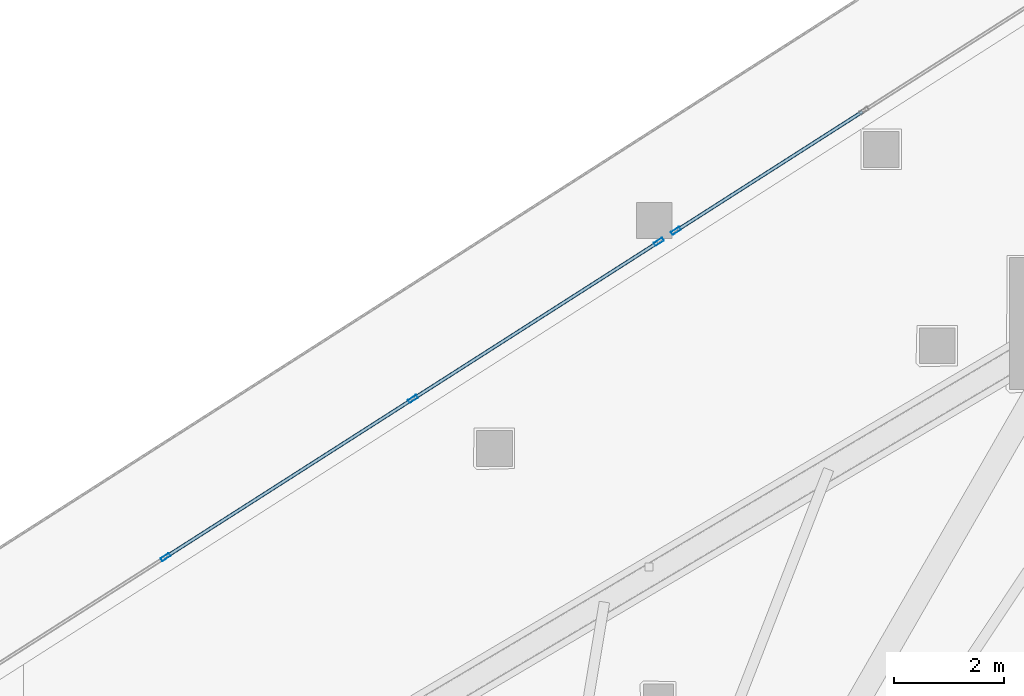
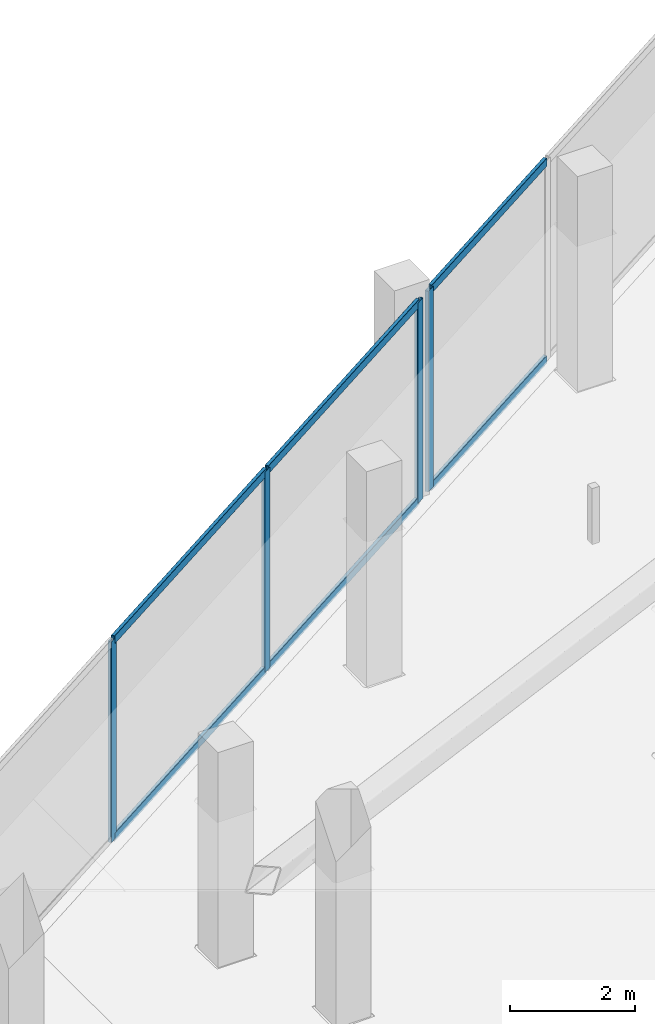
# One storey, part 20 of 45: 10 members, 2 elements without a shape of their own.
"""IFC4 building model written with IfcOpenShell, lengths in metres."""

import ifcopenshell
import ifcopenshell.guid

model = None  # the IFC model being written
_history = None  # IfcOwnerHistory: only IFC2X3 demands one
_inside = {}  # id of a spatial element -> (the spatial element, [elements in it])
_under = {}  # id of a project, library or spatial element -> (it, [spatial elements below it])
_declared = {}  # id of a project -> (the project, [libraries it declares])
_typed = {}  # id of a type object -> (the type object, [elements of that type])
_made_of = {}  # id of a material, layer set ... -> (it, [elements and type objects made of it])


def new_model(schema):
    """Start an empty IFC model of exactly this schema.

    Asked for "IFC4X3", IfcOpenShell would pick the latest addendum, in which some entities
    have other attributes; the version numbers below select the first issue.
    IFC2X3 requires an IfcOwnerHistory on every rooted entity: one is made here for all.
    """
    global model, _history
    if schema == "IFC4X3":
        model = ifcopenshell.file(schema_version=(4, 3, 0, 0))
    else:
        model = ifcopenshell.file(schema=schema)
    _inside.clear()
    _under.clear()
    _declared.clear()
    _typed.clear()
    _made_of.clear()
    _history = None
    if model.schema == "IFC2X3":
        org = make("IfcOrganization", Name="unknown")
        user = make(
            "IfcPersonAndOrganization",
            ThePerson=make("IfcPerson", FamilyName="unknown"),
            TheOrganization=org,
        )
        app = make(
            "IfcApplication",
            ApplicationDeveloper=org,
            Version="unknown",
            ApplicationFullName="unknown",
            ApplicationIdentifier="unknown",
        )
        _history = make(
            "IfcOwnerHistory",
            OwningUser=user,
            OwningApplication=app,
            ChangeAction="ADDED",
            CreationDate=0,
        )
    return model


def make(cls, **values):
    """One entity of the class cls with the attributes given. An attribute that is None is left unset."""
    return model.create_entity(
        cls, **{name: value for name, value in values.items() if value is not None}
    )


def rooted(cls, **values):
    """An entity with a GlobalId (a new one), such as an element, a storey or a relation."""
    return make(cls, GlobalId=ifcopenshell.guid.new(), OwnerHistory=_history, **values)


def si_unit(unit_type, name, prefix=None):
    """IfcSIUnit, for example si_unit("LENGTHUNIT", "METRE", prefix="MILLI")."""
    return make("IfcSIUnit", UnitType=unit_type, Prefix=prefix, Name=name)


def assignment(units):
    """IfcUnitAssignment: the units of a project."""
    return None if units is None else make("IfcUnitAssignment", Units=units)


def point(xyz):
    """IfcCartesianPoint."""
    return None if xyz is None else make("IfcCartesianPoint", Coordinates=xyz)


def direction(xyz):
    """IfcDirection."""
    return None if xyz is None else make("IfcDirection", DirectionRatios=xyz)


def frame(location, z_axis=None, x_axis=None):
    """IfcAxis2Placement3D, a coordinate frame: its origin and axes. An axis left out is left unset."""
    return make(
        "IfcAxis2Placement3D",
        Location=point(location),
        Axis=direction(z_axis),
        RefDirection=direction(x_axis),
    )


def frame_2d(location, x_axis=None):
    """IfcAxis2Placement2D, a coordinate frame in the plane: its origin and x axis."""
    return make(
        "IfcAxis2Placement2D", Location=point(location), RefDirection=direction(x_axis)
    )


def origin():
    """The frame at (0, 0, 0) with its axes left unset."""
    return frame((0.0, 0.0, 0.0))


def origin_2d():
    """The frame at (0, 0) in the plane with its x axis left unset."""
    return frame_2d((0.0, 0.0))


def place(relative_to, where):
    """IfcLocalPlacement: puts the frame where relative to a parent placement (None: the world)."""
    return make(
        "IfcLocalPlacement", PlacementRelTo=relative_to, RelativePlacement=where
    )


def context(
    kind, dimensions, precision=None, world=None, true_north=None, identifier=None
):
    """IfcGeometricRepresentationContext, for example the 3D "Model" context."""
    return make(
        "IfcGeometricRepresentationContext",
        ContextIdentifier=identifier,
        ContextType=kind,
        CoordinateSpaceDimension=dimensions,
        Precision=precision,
        WorldCoordinateSystem=world,
        TrueNorth=true_north,
    )


def subcontext(parent, identifier, kind, view, scale=None):
    """IfcGeometricRepresentationSubContext, for example "Body" below "Model"."""
    return make(
        "IfcGeometricRepresentationSubContext",
        ContextIdentifier=identifier,
        ContextType=kind,
        ParentContext=parent,
        TargetScale=scale,
        TargetView=view,
    )


def project(units=None, contexts=None):
    """IfcProject with its units and contexts."""
    return rooted(
        "IfcProject",
        Name="project",
        RepresentationContexts=contexts,
        UnitsInContext=assignment(units),
    )


def spatial(cls, under=None, at=None, **own):
    """A site, building, storey or space (cls), placed at a placement, below another one or the project."""
    s = rooted(cls, ObjectPlacement=at, **own)
    if under is not None:
        _under.setdefault(under.id(), (under, []))[1].append(s)
    return s


def profile(cls, at=None, kind="AREA", **sizes):
    """A parametric profile (cls). Its sizes go by their IFC names, for example OverallWidth=200.0."""
    return make(cls, ProfileType=kind, Position=at, **sizes)


def hollow_rectangle(**sizes):
    """IfcRectangleHollowProfileDef."""
    return profile("IfcRectangleHollowProfileDef", **sizes)


def extrude(swept, where, along, depth):
    """IfcExtrudedAreaSolid: the profile swept, set in the frame where, extruded along a direction by depth."""
    return make(
        "IfcExtrudedAreaSolid",
        SweptArea=swept,
        Position=where,
        ExtrudedDirection=direction(along),
        Depth=depth,
    )


def shape(context_of_items, identifier, shape_type, items):
    """IfcShapeRepresentation: the items that make up one representation, for example the "Body"."""
    return make(
        "IfcShapeRepresentation",
        ContextOfItems=context_of_items,
        RepresentationIdentifier=identifier,
        RepresentationType=shape_type,
        Items=items,
    )


def material(Name=None, Category=None):
    """IfcMaterial."""
    return make("IfcMaterial", Name=Name, Category=Category)


def layer(
    of_material, thickness, ventilated=None, Name=None, Category=None, Priority=None
):
    """IfcMaterialLayer: one layer of a wall or slab, of a material (None: an air gap)."""
    return make(
        "IfcMaterialLayer",
        Material=of_material,
        LayerThickness=thickness,
        IsVentilated=ventilated,
        Name=Name,
        Category=Category,
        Priority=Priority,
    )


def layer_set(layers, Name=None):
    """IfcMaterialLayerSet."""
    return make("IfcMaterialLayerSet", MaterialLayers=layers, LayerSetName=Name)


def material_profile(
    of_material, cross_section, Name=None, Category=None, Priority=None
):
    """IfcMaterialProfile: a cross section and its material."""
    return make(
        "IfcMaterialProfile",
        Name=Name,
        Material=of_material,
        Profile=cross_section,
        Priority=Priority,
        Category=Category,
    )


def profile_set(profiles, Name=None, composite=None):
    """IfcMaterialProfileSet."""
    return make(
        "IfcMaterialProfileSet",
        Name=Name,
        MaterialProfiles=profiles,
        CompositeProfile=composite,
    )


def made_of(thing, what):
    """Note that an element or type object is made of a material, layer set ...; save() writes the relation."""
    if what is not None:
        _made_of.setdefault(what.id(), (what, []))[1].append(thing)
    return thing


def type_object(cls, material=None, **own):
    """A type object (cls), such as IfcWallType, which elements share."""
    return made_of(rooted(cls, **own), material)


def element(
    cls,
    number,
    at=None,
    inside=None,
    cuts=None,
    type_object=None,
    material=None,
    context=None,
    identifier="Body",
    shape_type=None,
    held_by="IfcProductDefinitionShape",
    body=None,
    shapes=None,
    **own,
):
    """One element of the class cls, such as IfcWall. Its Tag is "e" and its number.

    at: its placement. inside: the storey or other place that contains it. cuts: it is an
    opening in that element (IfcRelVoidsElement). A single representation is given by context,
    identifier, shape_type and body (its items); several are given by shapes. held_by: the class
    of the entity that holds the representations. save() writes the other relations.
    """
    e = rooted(cls, Tag="e%d" % number, ObjectPlacement=at, **own)
    if body is not None:
        shapes = [shape(context, identifier, shape_type, body)]
    if shapes is not None:
        e.Representation = make(held_by, Representations=shapes)
    if inside is not None:
        _inside.setdefault(inside.id(), (inside, []))[1].append(e)
    if cuts is not None:
        rooted(
            "IfcRelVoidsElement", RelatingBuildingElement=cuts, RelatedOpeningElement=e
        )
    if type_object is not None:
        _typed.setdefault(type_object.id(), (type_object, []))[1].append(e)
    return made_of(e, material)


def aggregate(whole, parts):
    """IfcRelAggregates: a whole, such as a stair, and the parts it consists of."""
    return rooted("IfcRelAggregates", RelatingObject=whole, RelatedObjects=parts)


def save(model, path):
    """Write the relations noted so far, then the file.

    IfcRelAggregates (storeys below a building ...), IfcRelContainedInSpatialStructure (elements
    in a storey), IfcRelDefinesByType, IfcRelAssociatesMaterial and IfcRelDeclares: one each for
    every whole, place, type object, material and project.
    """
    for whole, parts in _under.values():
        aggregate(whole, parts)
    for where, things in _inside.values():
        rooted(
            "IfcRelContainedInSpatialStructure",
            RelatedElements=things,
            RelatingStructure=where,
        )
    for kind, things in _typed.values():
        rooted("IfcRelDefinesByType", RelatedObjects=things, RelatingType=kind)
    for what, things in _made_of.values():
        rooted("IfcRelAssociatesMaterial", RelatedObjects=things, RelatingMaterial=what)
    for by, libraries in _declared.values():
        rooted("IfcRelDeclares", RelatingContext=by, RelatedDefinitions=libraries)
    model.write(path)


model = new_model("IFC4")

# Units and contexts
model_context = context("Model", 3, precision=1e-05, world=origin(), true_north=direction((0.0, 1.0)))
body_context = subcontext(model_context, "Body", "Model", "MODEL_VIEW")
ifc_project = project(units=[si_unit("LENGTHUNIT", "METRE"), si_unit("AREAUNIT", "SQUARE_METRE"), si_unit("VOLUMEUNIT", "CUBIC_METRE"), si_unit("PLANEANGLEUNIT", "RADIAN"), si_unit("MASSUNIT", "GRAM", prefix="KILO")], contexts=[model_context])

# Site, building, storey
site_placement = place(None, origin())
site = spatial("IfcSite", under=ifc_project, at=site_placement, CompositionType="ELEMENT")
building_placement = place(site_placement, origin())
building = spatial("IfcBuilding", under=site, at=building_placement, Name="Qorvath Tower", CompositionType="ELEMENT")
storey_placement = place(building_placement, frame((0.0, 0.0, 49.199951171875)))
storey = spatial("IfcBuildingStorey", under=building, at=storey_placement, Name="L10", CompositionType="ELEMENT", Elevation=49.199951171875)

# Curtain wall, member
ifc_material_1 = material(Name="Anodised aluminium and triple low-E glass", Category="aluminium")
ifc_layer = layer(ifc_material_1, 0.179931640625)
ifc_layer_set = layer_set([ifc_layer], Name="CW-SYS-2")
curtain_wall_type = type_object("IfcCurtainWallType", Name="CW-SYS-2", PredefinedType="NOTDEFINED", material=ifc_layer_set)
curtain_wall_1_placement = place(storey_placement, origin())
curtain_wall_1 = element("IfcCurtainWall", 1, at=curtain_wall_1_placement, inside=storey, type_object=curtain_wall_type, Name="Curtain Wall CW-2 CW-T-L10-16.1", PredefinedType="NOTDEFINED")
ifc_material_2 = material(Name="Anodised aluminium 6063-T6", Category="aluminium")
ifc_material_profile_1 = material_profile(ifc_material_2, hollow_rectangle(XDim=0.06494140625, YDim=0.179931640625, WallThickness=0.00341796875, InnerFilletRadius=0.00341796875, OuterFilletRadius=0.007080078125, at=origin_2d()), Name="CWM 180x65")
ifc_profile_set_1 = profile_set([ifc_material_profile_1], Name="Anodised aluminium 6063-T6")
member_type_1 = type_object("IfcMemberType", Name="CWM-180", PredefinedType="MULLION", material=ifc_profile_set_1)
member_1_placement = place(storey_placement, frame((-21.73388671875, 29.017333984375, 0.0), z_axis=(0.0, 0.0, 1.0), x_axis=(0.538532896531, -0.842604485719, 0.0)))
member_1 = element("IfcMember", 2, at=member_1_placement, type_object=member_type_1, Name="CW-2 mullion 3", PredefinedType="MULLION", context=body_context, shape_type="SweptSolid", body=[
    extrude(hollow_rectangle(XDim=0.06494140625, YDim=0.179931640625, WallThickness=0.00341796875, InnerFilletRadius=0.00341796875, OuterFilletRadius=0.007080078125, at=origin_2d()), origin(), (0.0, 0.0, 1.0), 3.920166015625),
])

# Curtain wall, members
curtain_wall_2_placement = place(storey_placement, origin())
curtain_wall_2 = element("IfcCurtainWall", 3, at=curtain_wall_2_placement, inside=storey, type_object=curtain_wall_type, Name="Curtain Wall CW-2 CW-T-L10-16.2", PredefinedType="NOTDEFINED")
member_2_placement = place(storey_placement, frame((-22.04541015625, 28.818115234375, 0.0), z_axis=(0.0, 0.0, 1.0), x_axis=(0.538541095387, -0.842599245537, 0.0)))
member_2 = element("IfcMember", 4, at=member_2_placement, type_object=member_type_1, Name="CW-2 mullion 1", PredefinedType="MULLION", context=body_context, shape_type="SweptSolid", body=[
    extrude(hollow_rectangle(XDim=0.06494140625, YDim=0.179931640625, WallThickness=0.00341796875, InnerFilletRadius=0.00341796875, OuterFilletRadius=0.007080078125, at=origin_2d()), origin(), (0.0, 0.0, 1.0), 3.920166015625),
])
member_3_placement = place(storey_placement, frame((-26.520263671875, 25.958251953125, 0.0), z_axis=(0.0, 0.0, 1.0), x_axis=(0.538541095387, -0.842599245537, 0.0)))
member_3 = element("IfcMember", 5, at=member_3_placement, type_object=member_type_1, Name="CW-2 mullion 2", PredefinedType="MULLION", context=body_context, shape_type="SweptSolid", body=[
    extrude(hollow_rectangle(XDim=0.06494140625, YDim=0.179931640625, WallThickness=0.00341796875, InnerFilletRadius=0.00341796875, OuterFilletRadius=0.007080078125, at=origin_2d()), origin(), (0.0, 0.0, 1.0), 3.920166015625),
])
member_4_placement = place(storey_placement, frame((-31.0224609375, 23.080810546875, 0.0), z_axis=(0.0, 0.0, 1.0), x_axis=(0.538541095387, -0.842599245537, 0.0)))
member_4 = element("IfcMember", 6, at=member_4_placement, type_object=member_type_1, Name="CW-2 mullion 3", PredefinedType="MULLION", context=body_context, shape_type="SweptSolid", body=[
    extrude(hollow_rectangle(XDim=0.06494140625, YDim=0.179931640625, WallThickness=0.00341796875, InnerFilletRadius=0.00341796875, OuterFilletRadius=0.007080078125, at=origin_2d()), origin(), (0.0, 0.0, 1.0), 3.920166015625),
])

# Member
ifc_material_3 = material(Name="Anodised aluminium 6063-T6", Category="aluminium")
ifc_material_profile_2 = material_profile(ifc_material_3, hollow_rectangle(XDim=0.06494140625, YDim=0.159912109375, WallThickness=0.00341796875, InnerFilletRadius=0.00341796875, OuterFilletRadius=0.007080078125, at=origin_2d()), Name="CWT 160x65")
ifc_profile_set_2 = profile_set([ifc_material_profile_2], Name="Anodised aluminium 6063-T6")
member_type_2 = type_object("IfcMemberType", Name="CWT-160", PredefinedType="USERDEFINED", material=ifc_profile_set_2)
member_5_placement = place(storey_placement, frame((-18.340087890625, 31.186279296875, 0.032470703125), z_axis=(-0.842630791707, -0.538491735189, 0.0), x_axis=(0.538491735189, -0.842630791707, 0.0)))
member_5 = element("IfcMember", 7, at=member_5_placement, type_object=member_type_2, Name="CW-2 transom 2.1", ObjectType="TRANSOM", PredefinedType="USERDEFINED", context=body_context, shape_type="SweptSolid", body=[
    extrude(hollow_rectangle(XDim=0.06494140625, YDim=0.159912109375, WallThickness=0.00341796875, InnerFilletRadius=0.00341796875, OuterFilletRadius=0.007080078125, at=origin_2d()), origin(), (0.0, 0.0, 1.0), 3.9951171875),
])

member_6_placement = place(storey_placement, frame((-18.340087890625, 31.186279296875, 3.8876953125), z_axis=(-0.842630791707, -0.538491735189, 0.0), x_axis=(0.538491735189, -0.842630791707, 0.0)))
member_6 = element("IfcMember", 8, at=member_6_placement, type_object=member_type_2, Name="CW-2 transom 2.2", ObjectType="TRANSOM", PredefinedType="USERDEFINED", context=body_context, shape_type="SweptSolid", body=[
    extrude(hollow_rectangle(XDim=0.06494140625, YDim=0.159912109375, WallThickness=0.00341796875, InnerFilletRadius=0.00341796875, OuterFilletRadius=0.007080078125, at=origin_2d()), origin(), (0.0, 0.0, 1.0), 3.9951171875),
])

aggregate(curtain_wall_1, [member_1, member_5, member_6])

member_7_placement = place(storey_placement, frame((-22.07275390625, 28.80078125, 0.032470703125), z_axis=(-0.842592429827, -0.53855175907, 0.0), x_axis=(0.53855175907, -0.842592429827, 0.0)))
member_7 = element("IfcMember", 9, at=member_7_placement, type_object=member_type_2, Name="CW-2 transom 1.1", ObjectType="TRANSOM", PredefinedType="USERDEFINED", context=body_context, shape_type="SweptSolid", body=[
    extrude(hollow_rectangle(XDim=0.06494140625, YDim=0.159912109375, WallThickness=0.00341796875, InnerFilletRadius=0.00341796875, OuterFilletRadius=0.007080078125, at=origin_2d()), origin(), (0.0, 0.0, 1.0), 5.245849609375),
])

member_8_placement = place(storey_placement, frame((-22.07275390625, 28.80078125, 3.8876953125), z_axis=(-0.842592429827, -0.53855175907, 0.0), x_axis=(0.53855175907, -0.842592429827, 0.0)))
member_8 = element("IfcMember", 10, at=member_8_placement, type_object=member_type_2, Name="CW-2 transom 1.2", ObjectType="TRANSOM", PredefinedType="USERDEFINED", context=body_context, shape_type="SweptSolid", body=[
    extrude(hollow_rectangle(XDim=0.06494140625, YDim=0.159912109375, WallThickness=0.00341796875, InnerFilletRadius=0.00341796875, OuterFilletRadius=0.007080078125, at=origin_2d()), origin(), (0.0, 0.0, 1.0), 5.245849609375),
])

member_9_placement = place(storey_placement, frame((-26.547607421875, 25.940673828125, 0.032470703125), z_axis=(-0.842591313382, -0.538553505803, 0.0), x_axis=(0.538553505803, -0.842591313382, 0.0)))
member_9 = element("IfcMember", 11, at=member_9_placement, type_object=member_type_2, Name="CW-2 transom 2.1", ObjectType="TRANSOM", PredefinedType="USERDEFINED", context=body_context, shape_type="SweptSolid", body=[
    extrude(hollow_rectangle(XDim=0.06494140625, YDim=0.159912109375, WallThickness=0.00341796875, InnerFilletRadius=0.00341796875, OuterFilletRadius=0.007080078125, at=origin_2d()), origin(), (0.0, 0.0, 1.0), 5.278076171875),
])

member_10_placement = place(storey_placement, frame((-26.547607421875, 25.940673828125, 3.8876953125), z_axis=(-0.842591313382, -0.538553505803, 0.0), x_axis=(0.538553505803, -0.842591313382, 0.0)))
member_10 = element("IfcMember", 12, at=member_10_placement, type_object=member_type_2, Name="CW-2 transom 2.2", ObjectType="TRANSOM", PredefinedType="USERDEFINED", context=body_context, shape_type="SweptSolid", body=[
    extrude(hollow_rectangle(XDim=0.06494140625, YDim=0.159912109375, WallThickness=0.00341796875, InnerFilletRadius=0.00341796875, OuterFilletRadius=0.007080078125, at=origin_2d()), origin(), (0.0, 0.0, 1.0), 5.278076171875),
])

aggregate(curtain_wall_2, [member_2, member_3, member_4, member_7, member_8, member_9, member_10])

save(model, "model.ifc")
